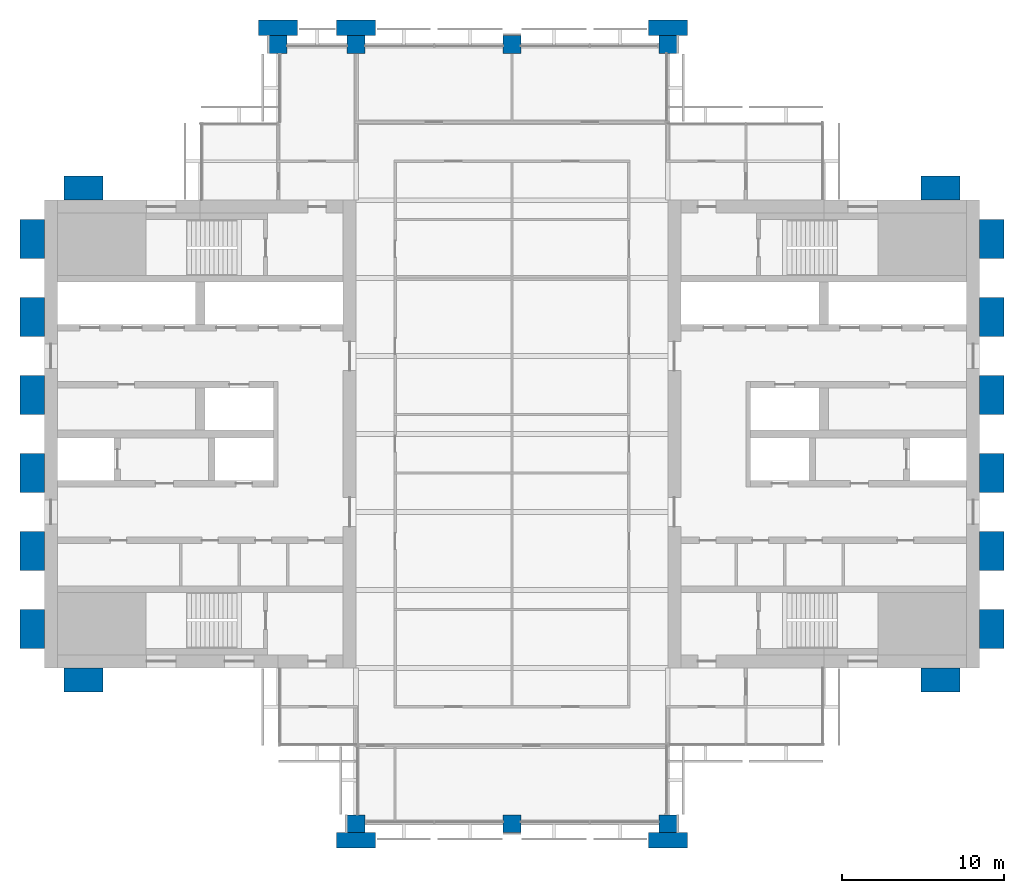
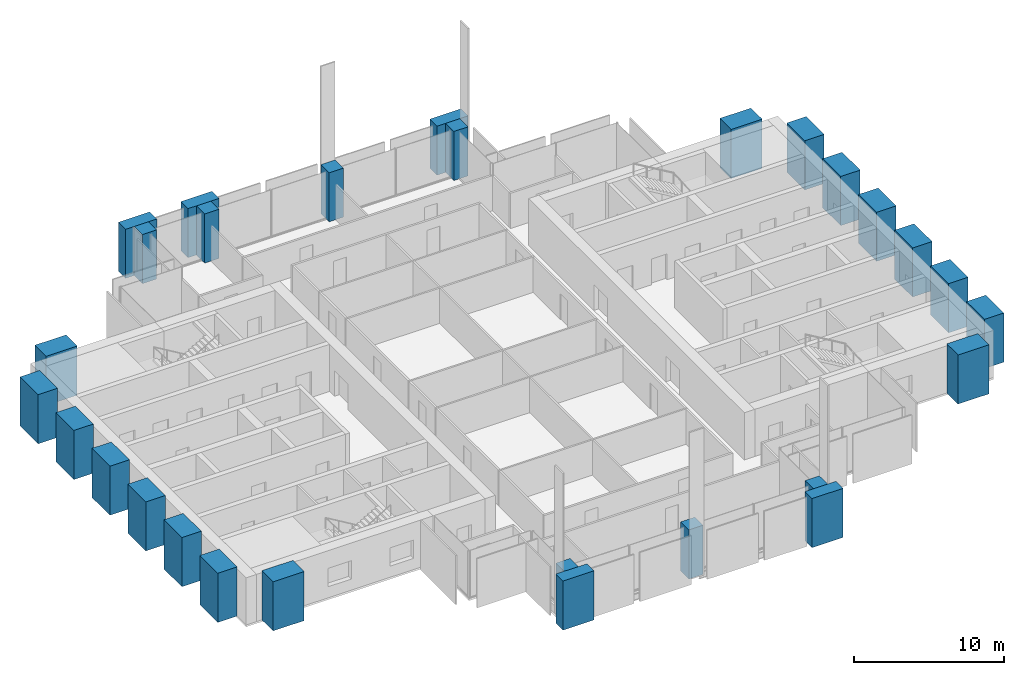
# One storey, part 1 of 13: 28 columns.
"""IFC4 building model written with IfcOpenShell, lengths in metres."""

from ifc_helpers import new_model, si_unit, direction, frame, origin, origin_2d, place, context, subcontext, project, spatial, rectangle, extrude, material, material_profile, profile_set, type_object, element, save


model = new_model("IFC4")

# Units and contexts
model_context = context("Model", 3, precision=1e-05, world=origin(), true_north=direction((0.0, 1.0)))
body_context = subcontext(model_context, "Body", "Model", "MODEL_VIEW")
ifc_project = project(units=[si_unit("LENGTHUNIT", "METRE"), si_unit("AREAUNIT", "SQUARE_METRE"), si_unit("VOLUMEUNIT", "CUBIC_METRE"), si_unit("PLANEANGLEUNIT", "RADIAN"), si_unit("MASSUNIT", "GRAM", prefix="KILO")], contexts=[model_context])

# Site, building, storey
site_placement = place(None, origin())
site = spatial("IfcSite", under=ifc_project, at=site_placement, CompositionType="ELEMENT")
building_placement = place(site_placement, origin())
building = spatial("IfcBuilding", under=site, at=building_placement, Name="Baori Bourse Tower", CompositionType="ELEMENT")
storey_placement = place(building_placement, frame((0.0, 0.0, 225.199951171875)))
storey = spatial("IfcBuildingStorey", under=building, at=storey_placement, Name="L49", CompositionType="ELEMENT", Elevation=225.199951171875)

# Columns
ifc_material_1 = material(Name="Concrete f'c 60 MPa", Category="concrete")
ifc_material_profile_1 = material_profile(ifc_material_1, rectangle(XDim=2.39990234375, YDim=0.949951171875, at=origin_2d()), Name="RC 2400x950")
ifc_profile_set_1 = profile_set([ifc_material_profile_1], Name="Concrete f'c 60 MPa")
column_type_1 = type_object("IfcColumnType", Name="FN3 Brick pilaster 2400x950", PredefinedType="PILASTER", material=ifc_profile_set_1)
for number, where, z_axis, x_axis, name in (
    (1, (19.199951171875, -1.02490234375, 0.0), (0.0, 0.0, 1.0), (1.0, 0.0, 0.0), "Brick pilaster L49 17"),
    (2, (38.39990234375, -1.02490234375, 0.0), (0.0, 0.0, 1.0), (1.0, 0.0, 0.0), "Brick pilaster L49 18"),
    (3, (14.39990234375, 49.02490234375, 0.0), (0.0, 0.0, 1.0), (1.0, 0.0, 0.0), "Brick pilaster L49 19"),
    (4, (19.199951171875, 49.02490234375, 0.0), (0.0, 0.0, 1.0), (1.0, 0.0, 0.0), "Brick pilaster L49 20"),
    (5, (38.39990234375, 49.02490234375, 0.0), (0.0, 0.0, 1.0), (1.0, 0.0, 0.0), "Brick pilaster L49 21"),
):
    element("IfcColumn", number, at=place(storey_placement, frame(where, z_axis=z_axis, x_axis=x_axis)), inside=storey, type_object=column_type_1, Name=name, PredefinedType="PILASTER", context=body_context, shape_type="SweptSolid", body=[
        extrude(rectangle(XDim=2.39990234375, YDim=0.949951171875, at=origin_2d()), origin(), (0.0, 0.0, 1.0), 4.0),
    ])
ifc_material_2 = material(Name="Concrete f'c 60 MPa", Category="concrete")
ifc_material_profile_2 = material_profile(ifc_material_2, rectangle(XDim=2.39990234375, YDim=1.5, at=origin_2d()), Name="RC 2400x1500")
ifc_profile_set_2 = profile_set([ifc_material_profile_2], Name="Concrete f'c 60 MPa")
column_type_2 = type_object("IfcColumnType", Name="FN4 Brick flank pilaster 2400x1500", PredefinedType="PILASTER", material=ifc_profile_set_2)
for number, where, z_axis, x_axis, name in (
    (6, (55.199951171875, 8.85009765625, 0.0), (0.0, 0.0, 1.0), (1.0, 0.0, 0.0), "Brick pilaster L49 1"),
    (7, (58.35009765625, 12.0, 0.0), (0.0, 0.0, 1.0), (0.0, 1.0, 0.0), "Brick pilaster L49 2"),
    (8, (58.35009765625, 16.800048828125, 0.0), (0.0, 0.0, 1.0), (0.0, 1.0, 0.0), "Brick pilaster L49 3"),
    (9, (58.35009765625, 21.60009765625, 0.0), (0.0, 0.0, 1.0), (0.0, 1.0, 0.0), "Brick pilaster L49 4"),
    (10, (58.35009765625, 26.39990234375, 0.0), (0.0, 0.0, 1.0), (0.0, 1.0, 0.0), "Brick pilaster L49 5"),
    (11, (58.35009765625, 31.199951171875, 0.0), (0.0, 0.0, 1.0), (0.0, 1.0, 0.0), "Brick pilaster L49 6"),
    (12, (58.35009765625, 36.0, 0.0), (0.0, 0.0, 1.0), (0.0, 1.0, 0.0), "Brick pilaster L49 7"),
    (13, (55.199951171875, 39.14990234375, 0.0), (0.0, 0.0, 1.0), (1.0, 0.0, 0.0), "Brick pilaster L49 8"),
    (14, (2.39990234375, 39.14990234375, 0.0), (0.0, 0.0, 1.0), (1.0, 0.0, 0.0), "Brick pilaster L49 9"),
    (15, (-0.75, 12.0, 0.0), (0.0, 0.0, 1.0), (0.0, 1.0, 0.0), "Brick pilaster L49 10"),
    (16, (-0.75, 16.800048828125, 0.0), (0.0, 0.0, 1.0), (0.0, 1.0, 0.0), "Brick pilaster L49 11"),
    (17, (-0.75, 21.60009765625, 0.0), (0.0, 0.0, 1.0), (0.0, 1.0, 0.0), "Brick pilaster L49 12"),
    (18, (-0.75, 26.39990234375, 0.0), (0.0, 0.0, 1.0), (0.0, 1.0, 0.0), "Brick pilaster L49 13"),
    (19, (-0.75, 31.199951171875, 0.0), (0.0, 0.0, 1.0), (0.0, 1.0, 0.0), "Brick pilaster L49 14"),
    (20, (-0.75, 36.0, 0.0), (0.0, 0.0, 1.0), (0.0, 1.0, 0.0), "Brick pilaster L49 15"),
    (21, (2.39990234375, 8.85009765625, 0.0), (0.0, 0.0, 1.0), (1.0, 0.0, 0.0), "Brick pilaster L49 16"),
):
    element("IfcColumn", number, at=place(storey_placement, frame(where, z_axis=z_axis, x_axis=x_axis)), inside=storey, type_object=column_type_2, Name=name, PredefinedType="PILASTER", context=body_context, shape_type="SweptSolid", body=[
        extrude(rectangle(XDim=2.39990234375, YDim=1.5, at=origin_2d()), origin(), (0.0, 0.0, 1.0), 4.0),
    ])
ifc_material_3 = material(Name="Concrete f'c 50 MPa", Category="concrete")
ifc_material_profile_3 = material_profile(ifc_material_3, rectangle(XDim=1.10009765625, YDim=1.10009765625, at=origin_2d()), Name="RC 1100x1100")
ifc_profile_set_3 = profile_set([ifc_material_profile_3], Name="Concrete f'c 50 MPa")
column_type_3 = type_object("IfcColumnType", Name="Perimeter column 50 RC 1100x1100", PredefinedType="COLUMN", material=ifc_profile_set_3)
for number, where, z_axis, x_axis, name in (
    (22, (19.199951171875, 0.0, 0.0), (0.0, 0.0, 1.0), (1.0, 0.0, 0.0), "Perimeter column L49"),
    (23, (28.800048828125, 0.0, 0.0), (0.0, 0.0, 1.0), (1.0, 0.0, 0.0), "Perimeter column L49"),
    (24, (38.39990234375, 0.0, 0.0), (0.0, 0.0, 1.0), (1.0, 0.0, 0.0), "Perimeter column L49"),
    (25, (14.39990234375, 48.0, 0.0), (0.0, 0.0, 1.0), (1.0, 0.0, 0.0), "Perimeter column L49"),
    (26, (19.199951171875, 48.0, 0.0), (0.0, 0.0, 1.0), (1.0, 0.0, 0.0), "Perimeter column L49"),
    (27, (28.800048828125, 48.0, 0.0), (0.0, 0.0, 1.0), (1.0, 0.0, 0.0), "Perimeter column L49"),
    (28, (38.39990234375, 48.0, 0.0), (0.0, 0.0, 1.0), (1.0, 0.0, 0.0), "Perimeter column L49"),
):
    element("IfcColumn", number, at=place(storey_placement, frame(where, z_axis=z_axis, x_axis=x_axis)), inside=storey, type_object=column_type_3, Name=name, PredefinedType="COLUMN", context=body_context, shape_type="SweptSolid", body=[
        extrude(rectangle(XDim=1.10009765625, YDim=1.10009765625, at=origin_2d()), origin(), (0.0, 0.0, 1.0), 4.0),
    ])

save(model, "model.ifc")
